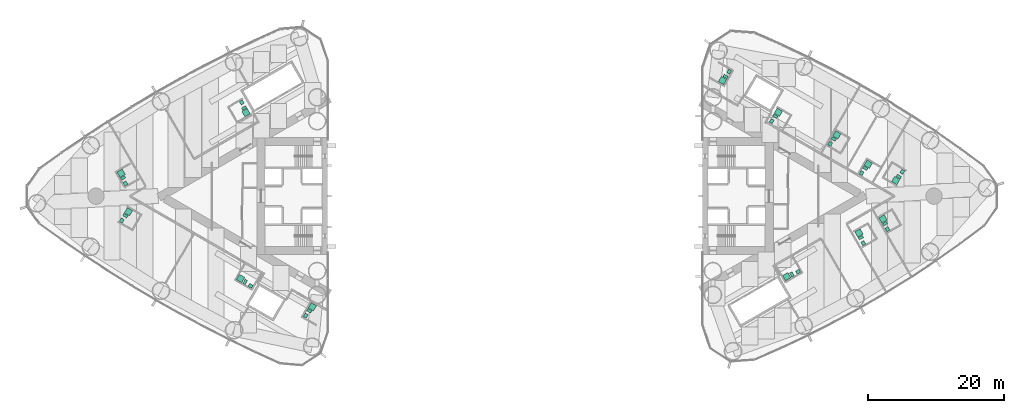
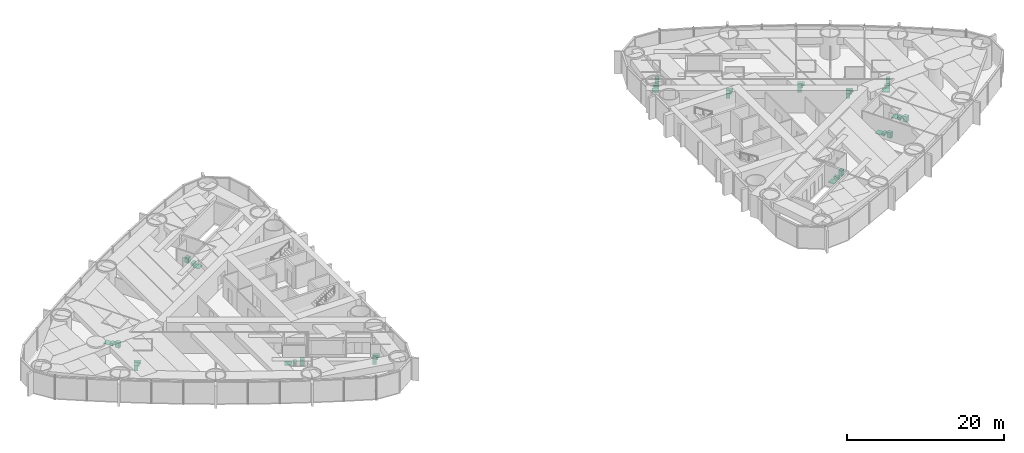
# One storey, part 18 of 18: 17 sanitary terminals.
"""IFC4 building model written with IfcOpenShell, lengths in metres."""

from ifc_helpers import new_model, si_unit, direction, frame, origin, origin_2d, place, context, subcontext, project, spatial, rectangle, extrude, material, type_object, element, save


model = new_model("IFC4")

# Units and contexts
model_context = context("Model", 3, precision=1e-05, world=origin(), true_north=direction((0.0, 1.0)))
body_context = subcontext(model_context, "Body", "Model", "MODEL_VIEW")
ifc_project = project(units=[si_unit("LENGTHUNIT", "METRE"), si_unit("AREAUNIT", "SQUARE_METRE"), si_unit("VOLUMEUNIT", "CUBIC_METRE"), si_unit("PLANEANGLEUNIT", "RADIAN"), si_unit("MASSUNIT", "GRAM", prefix="KILO")], contexts=[model_context])

# Site, building, storey
site_placement = place(None, origin())
site = spatial("IfcSite", under=ifc_project, at=site_placement, CompositionType="ELEMENT")
building_placement = place(site_placement, origin())
building = spatial("IfcBuilding", under=site, at=building_placement, Name="Lancet Gate Hotel", CompositionType="ELEMENT")
storey_placement = place(building_placement, frame((0.0, 0.0, 104.60009765625)))
storey = spatial("IfcBuildingStorey", under=building, at=storey_placement, Name="L27", CompositionType="ELEMENT", Elevation=104.60009765625)

# Sanitary terminals
ifc_material_1 = material(Name="Vitreous china sanitary ware")
sanitary_terminal_type_1 = type_object("IfcSanitaryTerminalType", Name="En-suite sanitary set (shower, WC, basin)", PredefinedType="USERDEFINED", material=ifc_material_1)
sanitary_terminal_1_placement = place(storey_placement, frame((-57.81689453125, 3.355224609375, 0.0), z_axis=(0.0, 0.0, 1.0), x_axis=(1.0, 0.0, 0.0)))
element("IfcSanitaryTerminal", 1, at=sanitary_terminal_1_placement, inside=storey, type_object=sanitary_terminal_type_1, Name="En-suite sanitary set (shower, WC, basin) 2704", ObjectType="EN-SUITE SANITARY SET", PredefinedType="USERDEFINED", context=body_context, shape_type="SweptSolid", body=[
    extrude(rectangle(XDim=0.89990234375, YDim=0.89990234375, at=origin_2d()), frame((0.0, 0.0, 0.0), z_axis=(0.0, 0.0, 1.0), x_axis=(-0.5, 0.866025403784, 0.0)), (0.0, 0.0, 1.0), 0.050048828125),
    extrude(rectangle(XDim=0.39990234375, YDim=0.699951171875, at=origin_2d()), frame((0.2783203125, -0.68212890625, 0.0), z_axis=(0.0, 0.0, 1.0), x_axis=(-0.5, 0.866025403784, 0.0)), (0.0, 0.0, 1.0), 0.39990234375),
    extrude(rectangle(XDim=0.60009765625, YDim=0.5, at=origin_2d()), frame((0.6318359375, -1.494384765625, 0.0), z_axis=(0.0, 0.0, 1.0), x_axis=(-0.5, 0.866025403784, 0.0)), (0.0, 0.0, 1.0), 0.85009765625),
])
sanitary_terminal_2_placement = place(storey_placement, frame((-56.745849609375, -2.28759765625, 0.0), z_axis=(0.0, 0.0, 1.0), x_axis=(1.0, 0.0, 0.0)))
element("IfcSanitaryTerminal", 2, at=sanitary_terminal_2_placement, inside=storey, type_object=sanitary_terminal_type_1, Name="En-suite sanitary set (shower, WC, basin) 2705", ObjectType="EN-SUITE SANITARY SET", PredefinedType="USERDEFINED", context=body_context, shape_type="SweptSolid", body=[
    extrude(rectangle(XDim=0.89990234375, YDim=0.89990234375, at=origin_2d()), frame((0.0, 0.0, 0.0), z_axis=(0.0, 0.0, 1.0), x_axis=(0.5, 0.866025403784, 0.0)), (0.0, 0.0, 1.0), 0.050048828125),
    extrude(rectangle(XDim=0.39990234375, YDim=0.699951171875, at=origin_2d()), frame((-0.45166015625, -0.582275390625, 0.0), z_axis=(0.0, 0.0, 1.0), x_axis=(0.5, 0.866025403784, 0.0)), (0.0, 0.0, 1.0), 0.39990234375),
    extrude(rectangle(XDim=0.60009765625, YDim=0.5, at=origin_2d()), frame((-0.978271484375, -1.29443359375, 0.0), z_axis=(0.0, 0.0, 1.0), x_axis=(0.5, 0.866025403784, 0.0)), (0.0, 0.0, 1.0), 0.85009765625),
])
sanitary_terminal_3_placement = place(storey_placement, frame((-39.488525390625, 12.251220703125, 0.0), z_axis=(0.0, 0.0, 1.0), x_axis=(1.0, 0.0, 0.0)))
element("IfcSanitaryTerminal", 3, at=sanitary_terminal_3_placement, inside=storey, type_object=sanitary_terminal_type_1, Name="En-suite sanitary set (shower, WC, basin) 2702", ObjectType="EN-SUITE SANITARY SET", PredefinedType="USERDEFINED", context=body_context, shape_type="SweptSolid", body=[
    extrude(rectangle(XDim=0.89990234375, YDim=0.89990234375, at=origin_2d()), frame((0.0, 0.0, 0.0), z_axis=(0.0, 0.0, 1.0), x_axis=(0.5, -0.866025403784, 0.0)), (0.0, 0.0, 1.0), 0.050048828125),
    extrude(rectangle(XDim=0.39990234375, YDim=0.699951171875, at=origin_2d()), frame((-0.2783203125, 0.68212890625, 0.0), z_axis=(0.0, 0.0, 1.0), x_axis=(0.5, -0.866025403784, 0.0)), (0.0, 0.0, 1.0), 0.39990234375),
    extrude(rectangle(XDim=0.60009765625, YDim=0.5, at=origin_2d()), frame((-0.6318359375, 1.494384765625, 0.0), z_axis=(0.0, 0.0, 1.0), x_axis=(0.5, -0.866025403784, 0.0)), (0.0, 0.0, 1.0), 0.85009765625),
])
sanitary_terminal_4_placement = place(storey_placement, frame((-29.751708984375, -16.256103515625, 0.0), z_axis=(0.0, 0.0, 1.0), x_axis=(1.0, 0.0, 0.0)))
element("IfcSanitaryTerminal", 4, at=sanitary_terminal_4_placement, inside=storey, type_object=sanitary_terminal_type_1, Name="En-suite sanitary set (shower, WC, basin) 2708", ObjectType="EN-SUITE SANITARY SET", PredefinedType="USERDEFINED", context=body_context, shape_type="SweptSolid", body=[
    extrude(rectangle(XDim=0.89990234375, YDim=0.89990234375, at=origin_2d()), frame((0.0, 0.0, 0.0), z_axis=(0.0, 0.0, 1.0), x_axis=(0.5, 0.866025403784, 0.0)), (0.0, 0.0, 1.0), 0.050048828125),
    extrude(rectangle(XDim=0.39990234375, YDim=0.699951171875, at=origin_2d()), frame((-0.45166015625, -0.582275390625, 0.0), z_axis=(0.0, 0.0, 1.0), x_axis=(0.5, 0.866025403784, 0.0)), (0.0, 0.0, 1.0), 0.39990234375),
    extrude(rectangle(XDim=0.60009765625, YDim=0.5, at=origin_2d()), frame((-0.978271484375, -1.29443359375, 0.0), z_axis=(0.0, 0.0, 1.0), x_axis=(0.5, 0.866025403784, 0.0)), (0.0, 0.0, 1.0), 0.85009765625),
])
sanitary_terminal_5_placement = place(storey_placement, frame((50.478515625, -5.406005859375, 0.0), z_axis=(0.0, 0.0, 1.0), x_axis=(1.0, 0.0, 0.0)))
element("IfcSanitaryTerminal", 5, at=sanitary_terminal_5_placement, inside=storey, type_object=sanitary_terminal_type_1, Name="En-suite sanitary set (shower, WC, basin) 2756", ObjectType="EN-SUITE SANITARY SET", PredefinedType="USERDEFINED", context=body_context, shape_type="SweptSolid", body=[
    extrude(rectangle(XDim=0.89990234375, YDim=0.89990234375, at=origin_2d()), frame((0.0, 0.0, 0.0), z_axis=(0.0, 0.0, 1.0), x_axis=(-0.5, 0.866025403784, 0.0)), (0.0, 0.0, 1.0), 0.050048828125),
    extrude(rectangle(XDim=0.39990234375, YDim=0.699951171875, at=origin_2d()), frame((0.278564453125, -0.682373046875, 0.0), z_axis=(0.0, 0.0, 1.0), x_axis=(-0.5, 0.866025403784, 0.0)), (0.0, 0.0, 1.0), 0.39990234375),
    extrude(rectangle(XDim=0.60009765625, YDim=0.5, at=origin_2d()), frame((0.6318359375, -1.494384765625, 0.0), z_axis=(0.0, 0.0, 1.0), x_axis=(-0.5, 0.866025403784, 0.0)), (0.0, 0.0, 1.0), 0.85009765625),
])
sanitary_terminal_6_placement = place(storey_placement, frame((54.02490234375, -3.358642578125, 0.0), z_axis=(0.0, 0.0, 1.0), x_axis=(1.0, 0.0, 0.0)))
element("IfcSanitaryTerminal", 6, at=sanitary_terminal_6_placement, inside=storey, type_object=sanitary_terminal_type_1, Name="En-suite sanitary set (shower, WC, basin) 2757", ObjectType="EN-SUITE SANITARY SET", PredefinedType="USERDEFINED", context=body_context, shape_type="SweptSolid", body=[
    extrude(rectangle(XDim=0.89990234375, YDim=0.89990234375, at=origin_2d()), frame((0.0, 0.0, 0.0), z_axis=(0.0, 0.0, 1.0), x_axis=(-0.5, 0.866025403784, 0.0)), (0.0, 0.0, 1.0), 0.050048828125),
    extrude(rectangle(XDim=0.39990234375, YDim=0.699951171875, at=origin_2d()), frame((0.278564453125, -0.68212890625, 0.0), z_axis=(0.0, 0.0, 1.0), x_axis=(-0.5, 0.866025403784, 0.0)), (0.0, 0.0, 1.0), 0.39990234375),
    extrude(rectangle(XDim=0.60009765625, YDim=0.5, at=origin_2d()), frame((0.6318359375, -1.494140625, 0.0), z_axis=(0.0, 0.0, 1.0), x_axis=(-0.5, 0.866025403784, 0.0)), (0.0, 0.0, 1.0), 0.85009765625),
])
sanitary_terminal_7_placement = place(storey_placement, frame((55.8798828125, 2.28759765625, 0.0), z_axis=(0.0, 0.0, 1.0), x_axis=(1.0, 0.0, 0.0)))
element("IfcSanitaryTerminal", 7, at=sanitary_terminal_7_placement, inside=storey, type_object=sanitary_terminal_type_1, Name="En-suite sanitary set (shower, WC, basin) 2758", ObjectType="EN-SUITE SANITARY SET", PredefinedType="USERDEFINED", context=body_context, shape_type="SweptSolid", body=[
    extrude(rectangle(XDim=0.89990234375, YDim=0.89990234375, at=origin_2d()), frame((0.0, 0.0, 0.0), z_axis=(0.0, 0.0, 1.0), x_axis=(-0.5, -0.866025403784, 0.0)), (0.0, 0.0, 1.0), 0.050048828125),
    extrude(rectangle(XDim=0.39990234375, YDim=0.699951171875, at=origin_2d()), frame((0.45166015625, 0.582275390625, 0.0), z_axis=(0.0, 0.0, 1.0), x_axis=(-0.5, -0.866025403784, 0.0)), (0.0, 0.0, 1.0), 0.39990234375),
    extrude(rectangle(XDim=0.60009765625, YDim=0.5, at=origin_2d()), frame((0.978271484375, 1.29443359375, 0.0), z_axis=(0.0, 0.0, 1.0), x_axis=(-0.5, -0.866025403784, 0.0)), (0.0, 0.0, 1.0), 0.85009765625),
])
sanitary_terminal_8_placement = place(storey_placement, frame((51.8466796875, 4.685546875, 0.0), z_axis=(0.0, 0.0, 1.0), x_axis=(1.0, 0.0, 0.0)))
element("IfcSanitaryTerminal", 8, at=sanitary_terminal_8_placement, inside=storey, type_object=sanitary_terminal_type_1, Name="En-suite sanitary set (shower, WC, basin) 2759", ObjectType="EN-SUITE SANITARY SET", PredefinedType="USERDEFINED", context=body_context, shape_type="SweptSolid", body=[
    extrude(rectangle(XDim=0.89990234375, YDim=0.89990234375, at=origin_2d()), frame((0.0, 0.0, 0.0), z_axis=(0.0, 0.0, 1.0), x_axis=(0.5, 0.866025403784, 0.0)), (0.0, 0.0, 1.0), 0.050048828125),
    extrude(rectangle(XDim=0.39990234375, YDim=0.699951171875, at=origin_2d()), frame((-0.45166015625, -0.58203125, 0.0), z_axis=(0.0, 0.0, 1.0), x_axis=(0.5, 0.866025403784, 0.0)), (0.0, 0.0, 1.0), 0.39990234375),
    extrude(rectangle(XDim=0.60009765625, YDim=0.5, at=origin_2d()), frame((-0.978271484375, -1.294189453125, 0.0), z_axis=(0.0, 0.0, 1.0), x_axis=(0.5, 0.866025403784, 0.0)), (0.0, 0.0, 1.0), 0.85009765625),
])
for number, where, z_axis, x_axis, name in (
    (9, (47.227294921875, 8.96923828125, 0.0), (0.0, 0.0, 1.0), (1.0, 0.0, 0.0), "En-suite sanitary set (shower, WC, basin) 2760"),
    (10, (38.652587890625, 12.30322265625, 0.0), (0.0, 0.0, 1.0), (1.0, 0.0, 0.0), "En-suite sanitary set (shower, WC, basin) 2761"),
):
    element("IfcSanitaryTerminal", number, at=place(storey_placement, frame(where, z_axis=z_axis, x_axis=x_axis)), inside=storey, type_object=sanitary_terminal_type_1, Name=name, ObjectType="EN-SUITE SANITARY SET", PredefinedType="USERDEFINED", context=body_context, shape_type="SweptSolid", body=[
        extrude(rectangle(XDim=0.89990234375, YDim=0.89990234375, at=origin_2d()), frame((0.0, 0.0, 0.0), z_axis=(0.0, 0.0, 1.0), x_axis=(0.5, 0.866025403784, 0.0)), (0.0, 0.0, 1.0), 0.050048828125),
        extrude(rectangle(XDim=0.39990234375, YDim=0.699951171875, at=origin_2d()), frame((-0.45166015625, -0.582275390625, 0.0), z_axis=(0.0, 0.0, 1.0), x_axis=(0.5, 0.866025403784, 0.0)), (0.0, 0.0, 1.0), 0.39990234375),
        extrude(rectangle(XDim=0.60009765625, YDim=0.5, at=origin_2d()), frame((-0.978271484375, -1.29443359375, 0.0), z_axis=(0.0, 0.0, 1.0), x_axis=(0.5, 0.866025403784, 0.0)), (0.0, 0.0, 1.0), 0.85009765625),
    ])
sanitary_terminal_9_placement = place(storey_placement, frame((30.45166015625, 16.968505859375, 0.0), z_axis=(0.0, 0.0, 1.0), x_axis=(1.0, 0.0, 0.0)))
element("IfcSanitaryTerminal", 11, at=sanitary_terminal_9_placement, inside=storey, type_object=sanitary_terminal_type_1, Name="En-suite sanitary set (shower, WC, basin) 2764", ObjectType="EN-SUITE SANITARY SET", PredefinedType="USERDEFINED", context=body_context, shape_type="SweptSolid", body=[
    extrude(rectangle(XDim=0.89990234375, YDim=0.89990234375, at=origin_2d()), frame((0.0, 0.0, 0.0), z_axis=(0.0, 0.0, 1.0), x_axis=(-0.5, -0.866025403784, 0.0)), (0.0, 0.0, 1.0), 0.050048828125),
    extrude(rectangle(XDim=0.39990234375, YDim=0.699951171875, at=origin_2d()), frame((0.45166015625, 0.582275390625, 0.0), z_axis=(0.0, 0.0, 1.0), x_axis=(-0.5, -0.866025403784, 0.0)), (0.0, 0.0, 1.0), 0.39990234375),
    extrude(rectangle(XDim=0.60009765625, YDim=0.5, at=origin_2d()), frame((0.978271484375, 1.29443359375, 0.0), z_axis=(0.0, 0.0, 1.0), x_axis=(-0.5, -0.866025403784, 0.0)), (0.0, 0.0, 1.0), 0.85009765625),
])
ifc_material_2 = material(Name="Stone resin shower tray", Category="masonry")
sanitary_terminal_type_2 = type_object("IfcSanitaryTerminalType", Name="Shower tray 900", PredefinedType="SHOWER", material=ifc_material_2)
for number, where, z_axis, x_axis, name in (
    (12, (-40.2763671875, -12.0966796875, 0.0), (0.0, 0.0, 1.0), (-0.866025403784, 0.5, 0.0), "Shower tray 900 2707"),
    (13, (39.87841796875, -11.826416015625, 0.0), (0.0, 0.0, 1.0), (-0.866025403784, -0.5, 0.0), "Shower tray 900 2753"),
):
    element("IfcSanitaryTerminal", number, at=place(storey_placement, frame(where, z_axis=z_axis, x_axis=x_axis)), inside=storey, type_object=sanitary_terminal_type_2, Name=name, PredefinedType="SHOWER", context=body_context, shape_type="SweptSolid", body=[
        extrude(rectangle(XDim=0.89990234375, YDim=0.89990234375, at=origin_2d()), origin(), (0.0, 0.0, 1.0), 0.050048828125),
    ])
ifc_material_3 = material(Name="Vitreous china sanitary ware")
sanitary_terminal_type_3 = type_object("IfcSanitaryTerminalType", Name="Vanity basin 600", PredefinedType="WASHHANDBASIN", material=ifc_material_3)
for number, where, z_axis, x_axis, name in (
    (14, (-38.808837890625, -13.1748046875, -0.000244140625), (0.0, 0.0, 1.0), (-0.866025403784, 0.5, 0.0), "Vanity basin 600 2707"),
    (15, (41.5458984375, -11.094482421875, -0.000244140625), (0.0, 0.0, 1.0), (-0.866025403784, -0.5, 0.0), "Vanity basin 600 2753"),
):
    element("IfcSanitaryTerminal", number, at=place(storey_placement, frame(where, z_axis=z_axis, x_axis=x_axis)), inside=storey, type_object=sanitary_terminal_type_3, Name=name, PredefinedType="WASHHANDBASIN", context=body_context, shape_type="SweptSolid", body=[
        extrude(rectangle(XDim=0.60009765625, YDim=0.5, at=origin_2d()), origin(), (0.0, 0.0, 1.0), 0.85009765625),
    ])
ifc_material_4 = material(Name="Vitreous china sanitary ware")
sanitary_terminal_type_4 = type_object("IfcSanitaryTerminalType", Name="WC pan wall hung", PredefinedType="TOILETPAN", material=ifc_material_4)
for number, where, z_axis, x_axis, name in (
    (16, (-39.607421875, -12.59814453125, 0.0), (0.0, 0.0, 1.0), (-0.866025403784, 0.5, 0.0), "WC pan wall hung 2707"),
    (17, (40.647216796875, -11.497802734375, 0.0), (0.0, 0.0, 1.0), (-0.866025403784, -0.5, 0.0), "WC pan wall hung 2753"),
):
    element("IfcSanitaryTerminal", number, at=place(storey_placement, frame(where, z_axis=z_axis, x_axis=x_axis)), inside=storey, type_object=sanitary_terminal_type_4, Name=name, PredefinedType="TOILETPAN", context=body_context, shape_type="SweptSolid", body=[
        extrude(rectangle(XDim=0.39990234375, YDim=0.699951171875, at=origin_2d()), origin(), (0.0, 0.0, 1.0), 0.39990234375),
    ])

save(model, "model.ifc")
